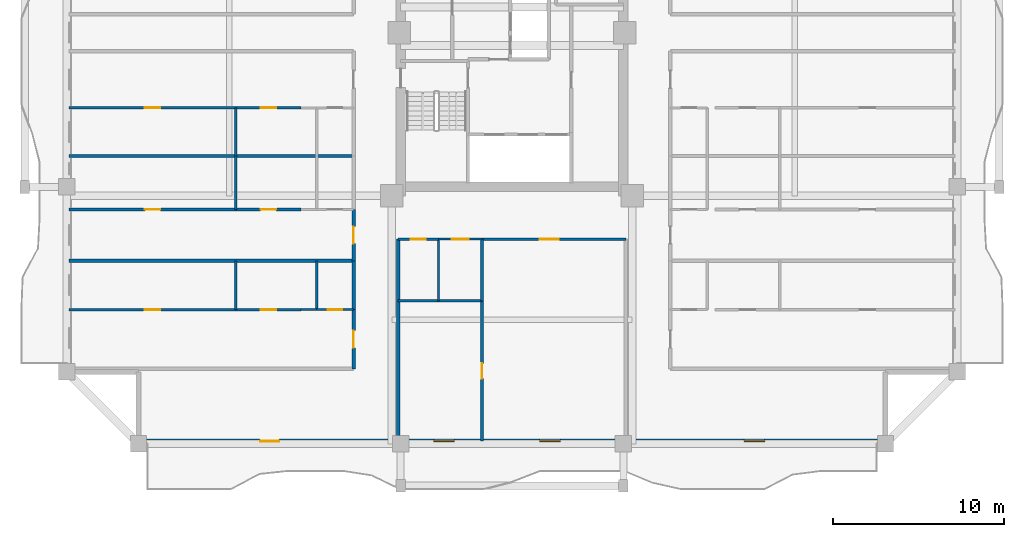
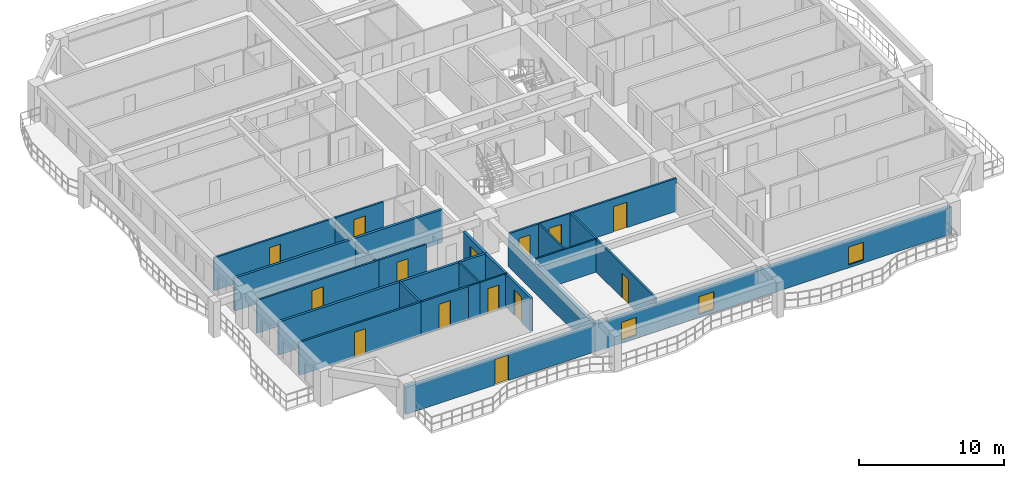
# One storey, part 2 of 13: 26 walls, 14 doors, 3 windows, 17 openings.
"""IFC4 building model written with IfcOpenShell, lengths in metres."""

import ifcopenshell
import ifcopenshell.guid

model = None  # the IFC model being written
_history = None  # IfcOwnerHistory: only IFC2X3 demands one
_inside = {}  # id of a spatial element -> (the spatial element, [elements in it])
_under = {}  # id of a project, library or spatial element -> (it, [spatial elements below it])
_declared = {}  # id of a project -> (the project, [libraries it declares])
_typed = {}  # id of a type object -> (the type object, [elements of that type])
_made_of = {}  # id of a material, layer set ... -> (it, [elements and type objects made of it])


def new_model(schema):
    """Start an empty IFC model of exactly this schema.

    Asked for "IFC4X3", IfcOpenShell would pick the latest addendum, in which some entities
    have other attributes; the version numbers below select the first issue.
    IFC2X3 requires an IfcOwnerHistory on every rooted entity: one is made here for all.
    """
    global model, _history
    if schema == "IFC4X3":
        model = ifcopenshell.file(schema_version=(4, 3, 0, 0))
    else:
        model = ifcopenshell.file(schema=schema)
    _inside.clear()
    _under.clear()
    _declared.clear()
    _typed.clear()
    _made_of.clear()
    _history = None
    if model.schema == "IFC2X3":
        org = make("IfcOrganization", Name="unknown")
        user = make(
            "IfcPersonAndOrganization",
            ThePerson=make("IfcPerson", FamilyName="unknown"),
            TheOrganization=org,
        )
        app = make(
            "IfcApplication",
            ApplicationDeveloper=org,
            Version="unknown",
            ApplicationFullName="unknown",
            ApplicationIdentifier="unknown",
        )
        _history = make(
            "IfcOwnerHistory",
            OwningUser=user,
            OwningApplication=app,
            ChangeAction="ADDED",
            CreationDate=0,
        )
    return model


def make(cls, **values):
    """One entity of the class cls with the attributes given. An attribute that is None is left unset."""
    return model.create_entity(
        cls, **{name: value for name, value in values.items() if value is not None}
    )


def rooted(cls, **values):
    """An entity with a GlobalId (a new one), such as an element, a storey or a relation."""
    return make(cls, GlobalId=ifcopenshell.guid.new(), OwnerHistory=_history, **values)


def si_unit(unit_type, name, prefix=None):
    """IfcSIUnit, for example si_unit("LENGTHUNIT", "METRE", prefix="MILLI")."""
    return make("IfcSIUnit", UnitType=unit_type, Prefix=prefix, Name=name)


def assignment(units):
    """IfcUnitAssignment: the units of a project."""
    return None if units is None else make("IfcUnitAssignment", Units=units)


def point(xyz):
    """IfcCartesianPoint."""
    return None if xyz is None else make("IfcCartesianPoint", Coordinates=xyz)


def direction(xyz):
    """IfcDirection."""
    return None if xyz is None else make("IfcDirection", DirectionRatios=xyz)


def frame(location, z_axis=None, x_axis=None):
    """IfcAxis2Placement3D, a coordinate frame: its origin and axes. An axis left out is left unset."""
    return make(
        "IfcAxis2Placement3D",
        Location=point(location),
        Axis=direction(z_axis),
        RefDirection=direction(x_axis),
    )


def frame_2d(location, x_axis=None):
    """IfcAxis2Placement2D, a coordinate frame in the plane: its origin and x axis."""
    return make(
        "IfcAxis2Placement2D", Location=point(location), RefDirection=direction(x_axis)
    )


def origin():
    """The frame at (0, 0, 0) with its axes left unset."""
    return frame((0.0, 0.0, 0.0))


def place(relative_to, where):
    """IfcLocalPlacement: puts the frame where relative to a parent placement (None: the world)."""
    return make(
        "IfcLocalPlacement", PlacementRelTo=relative_to, RelativePlacement=where
    )


def context(
    kind, dimensions, precision=None, world=None, true_north=None, identifier=None
):
    """IfcGeometricRepresentationContext, for example the 3D "Model" context."""
    return make(
        "IfcGeometricRepresentationContext",
        ContextIdentifier=identifier,
        ContextType=kind,
        CoordinateSpaceDimension=dimensions,
        Precision=precision,
        WorldCoordinateSystem=world,
        TrueNorth=true_north,
    )


def subcontext(parent, identifier, kind, view, scale=None):
    """IfcGeometricRepresentationSubContext, for example "Body" below "Model"."""
    return make(
        "IfcGeometricRepresentationSubContext",
        ContextIdentifier=identifier,
        ContextType=kind,
        ParentContext=parent,
        TargetScale=scale,
        TargetView=view,
    )


def project(units=None, contexts=None):
    """IfcProject with its units and contexts."""
    return rooted(
        "IfcProject",
        Name="project",
        RepresentationContexts=contexts,
        UnitsInContext=assignment(units),
    )


def spatial(cls, under=None, at=None, **own):
    """A site, building, storey or space (cls), placed at a placement, below another one or the project."""
    s = rooted(cls, ObjectPlacement=at, **own)
    if under is not None:
        _under.setdefault(under.id(), (under, []))[1].append(s)
    return s


def profile(cls, at=None, kind="AREA", **sizes):
    """A parametric profile (cls). Its sizes go by their IFC names, for example OverallWidth=200.0."""
    return make(cls, ProfileType=kind, Position=at, **sizes)


def rectangle(**sizes):
    """IfcRectangleProfileDef."""
    return profile("IfcRectangleProfileDef", **sizes)


def extrude(swept, where, along, depth):
    """IfcExtrudedAreaSolid: the profile swept, set in the frame where, extruded along a direction by depth."""
    return make(
        "IfcExtrudedAreaSolid",
        SweptArea=swept,
        Position=where,
        ExtrudedDirection=direction(along),
        Depth=depth,
    )


def shape(context_of_items, identifier, shape_type, items):
    """IfcShapeRepresentation: the items that make up one representation, for example the "Body"."""
    return make(
        "IfcShapeRepresentation",
        ContextOfItems=context_of_items,
        RepresentationIdentifier=identifier,
        RepresentationType=shape_type,
        Items=items,
    )


def source(mapping_origin, context_of_items, identifier, shape_type, items):
    """IfcRepresentationMap: a shape defined once, which mapped items show again and again."""
    return make(
        "IfcRepresentationMap",
        MappingOrigin=mapping_origin,
        MappedRepresentation=shape(context_of_items, identifier, shape_type, items),
    )


def transform(
    local_origin,
    x_axis=None,
    y_axis=None,
    z_axis=None,
    scale=None,
    scale2=None,
    scale3=None,
    uniform=True,
):
    """IfcCartesianTransformationOperator3D, or its non-uniform kind. x_axis, y_axis, z_axis: its Axis1, 2, 3."""
    if uniform:
        return make(
            "IfcCartesianTransformationOperator3D",
            Axis1=direction(x_axis),
            Axis2=direction(y_axis),
            LocalOrigin=point(local_origin),
            Scale=scale,
            Axis3=direction(z_axis),
        )
    return make(
        "IfcCartesianTransformationOperator3DnonUniform",
        Axis1=direction(x_axis),
        Axis2=direction(y_axis),
        LocalOrigin=point(local_origin),
        Scale=scale,
        Axis3=direction(z_axis),
        Scale2=scale2,
        Scale3=scale3,
    )


def mapped(mapping_source, mapping_target):
    """IfcMappedItem: shows the shape of a source again, moved by a transform."""
    return make(
        "IfcMappedItem", MappingSource=mapping_source, MappingTarget=mapping_target
    )


def material(Name=None, Category=None):
    """IfcMaterial."""
    return make("IfcMaterial", Name=Name, Category=Category)


def layer(
    of_material, thickness, ventilated=None, Name=None, Category=None, Priority=None
):
    """IfcMaterialLayer: one layer of a wall or slab, of a material (None: an air gap)."""
    return make(
        "IfcMaterialLayer",
        Material=of_material,
        LayerThickness=thickness,
        IsVentilated=ventilated,
        Name=Name,
        Category=Category,
        Priority=Priority,
    )


def layer_set(layers, Name=None):
    """IfcMaterialLayerSet."""
    return make("IfcMaterialLayerSet", MaterialLayers=layers, LayerSetName=Name)


def made_of(thing, what):
    """Note that an element or type object is made of a material, layer set ...; save() writes the relation."""
    if what is not None:
        _made_of.setdefault(what.id(), (what, []))[1].append(thing)
    return thing


def type_object(cls, material=None, **own):
    """A type object (cls), such as IfcWallType, which elements share."""
    return made_of(rooted(cls, **own), material)


def element(
    cls,
    number,
    at=None,
    inside=None,
    cuts=None,
    type_object=None,
    material=None,
    context=None,
    identifier="Body",
    shape_type=None,
    held_by="IfcProductDefinitionShape",
    body=None,
    shapes=None,
    **own,
):
    """One element of the class cls, such as IfcWall. Its Tag is "e" and its number.

    at: its placement. inside: the storey or other place that contains it. cuts: it is an
    opening in that element (IfcRelVoidsElement). A single representation is given by context,
    identifier, shape_type and body (its items); several are given by shapes. held_by: the class
    of the entity that holds the representations. save() writes the other relations.
    """
    e = rooted(cls, Tag="e%d" % number, ObjectPlacement=at, **own)
    if body is not None:
        shapes = [shape(context, identifier, shape_type, body)]
    if shapes is not None:
        e.Representation = make(held_by, Representations=shapes)
    if inside is not None:
        _inside.setdefault(inside.id(), (inside, []))[1].append(e)
    if cuts is not None:
        rooted(
            "IfcRelVoidsElement", RelatingBuildingElement=cuts, RelatedOpeningElement=e
        )
    if type_object is not None:
        _typed.setdefault(type_object.id(), (type_object, []))[1].append(e)
    return made_of(e, material)


def fill(opening, filler):
    """IfcRelFillsElement: the door or window that sits in an opening."""
    return rooted(
        "IfcRelFillsElement",
        RelatingOpeningElement=opening,
        RelatedBuildingElement=filler,
    )


def aggregate(whole, parts):
    """IfcRelAggregates: a whole, such as a stair, and the parts it consists of."""
    return rooted("IfcRelAggregates", RelatingObject=whole, RelatedObjects=parts)


def save(model, path):
    """Write the relations noted so far, then the file.

    IfcRelAggregates (storeys below a building ...), IfcRelContainedInSpatialStructure (elements
    in a storey), IfcRelDefinesByType, IfcRelAssociatesMaterial and IfcRelDeclares: one each for
    every whole, place, type object, material and project.
    """
    for whole, parts in _under.values():
        aggregate(whole, parts)
    for where, things in _inside.values():
        rooted(
            "IfcRelContainedInSpatialStructure",
            RelatedElements=things,
            RelatingStructure=where,
        )
    for kind, things in _typed.values():
        rooted("IfcRelDefinesByType", RelatedObjects=things, RelatingType=kind)
    for what, things in _made_of.values():
        rooted("IfcRelAssociatesMaterial", RelatedObjects=things, RelatingMaterial=what)
    for by, libraries in _declared.values():
        rooted("IfcRelDeclares", RelatingContext=by, RelatedDefinitions=libraries)
    model.write(path)


model = new_model("IFC4")

# Units and contexts
model_context = context("Model", 3, precision=1e-05, world=origin(), true_north=direction((0.0, 1.0)))
body_context = subcontext(model_context, "Body", "Model", "MODEL_VIEW")
ifc_project = project(units=[si_unit("LENGTHUNIT", "METRE"), si_unit("AREAUNIT", "SQUARE_METRE"), si_unit("VOLUMEUNIT", "CUBIC_METRE"), si_unit("PLANEANGLEUNIT", "RADIAN"), si_unit("MASSUNIT", "GRAM", prefix="KILO")], contexts=[model_context])

# Site, building, storey
site_placement = place(None, origin())
site = spatial("IfcSite", under=ifc_project, at=site_placement, CompositionType="ELEMENT")
building_placement = place(site_placement, origin())
building = spatial("IfcBuilding", under=site, at=building_placement, Name="Saelheon Loggia Tower", CompositionType="ELEMENT")
storey_placement = place(building_placement, frame((0.0, 0.0, 92.85009765625)))
storey = spatial("IfcBuildingStorey", under=building, at=storey_placement, Name="L29", CompositionType="ELEMENT", Elevation=92.85009765625)

# Wall, openings, windows, door
ifc_material_1 = material(Name="Architectural Precast Concrete C40/50", Category="concrete")
ifc_layer_1 = layer(ifc_material_1, 0.280029296875)
ifc_layer_set_1 = layer_set([ifc_layer_1], Name="Architectural Precast Concrete C40/50")
wall_type_1 = type_object("IfcWallType", Name="Wall_Ext_Loggia_280", PredefinedType="SOLIDWALL", material=ifc_layer_set_1)
wall_1_placement = place(storey_placement, frame((16.199951171875, 3.139892578125, 0.0), z_axis=(0.0, 0.0, 1.0), x_axis=(1.0, 0.0, 0.0)))
wall_1 = element("IfcWall", 1, at=wall_1_placement, inside=storey, type_object=wall_type_1, Name="L29 South Loggia Inner Wall", PredefinedType="SOLIDWALL", context=body_context, shape_type="SweptSolid", body=[
    extrude(rectangle(XDim=43.60009765625, YDim=0.280029296875, at=frame_2d((21.800048828125, 0.0))), origin(), (0.0, 0.0, 1.0), 2.27978515625),
])
opening_1_placement = place(wall_1_placement, frame((8.2001953125, 0.0, 0.0), z_axis=(0.0, 0.0, 1.0), x_axis=(-1.0, 0.0, 0.0)))
opening_1 = element("IfcOpeningElement", 2, at=opening_1_placement, cuts=wall_1, Name="Opening TD1", PredefinedType="OPENING", context=body_context, shape_type="SweptSolid", body=[
    extrude(rectangle(XDim=1.10009765625, YDim=2.14990234375, at=frame_2d((0.550048828125, 1.074951171875))), frame((0.0, 0.152099609375, 0.0), z_axis=(0.0, -1.0, 0.0), x_axis=(1.0, 0.0, 0.0)), (0.0, 0.0, 1.0), 0.303955078125),
])
opening_2_placement = place(wall_1_placement, frame((17.232421875, 0.0, 0.25)))
opening_2 = element("IfcOpeningElement", 3, at=opening_2_placement, cuts=wall_1, Name="Opening WN-03", PredefinedType="OPENING", context=body_context, shape_type="SweptSolid", body=[
    extrude(rectangle(XDim=1.199951171875, YDim=1.5, at=frame_2d((0.60009765625, 0.75))), frame((0.0, 0.152099609375, 0.0), z_axis=(0.0, -1.0, 0.0), x_axis=(1.0, 0.0, 0.0)), (0.0, 0.0, 1.0), 0.303955078125),
])
opening_3_placement = place(wall_1_placement, frame((23.41748046875, 0.0, 0.25)))
opening_3 = element("IfcOpeningElement", 4, at=opening_3_placement, cuts=wall_1, Name="Opening WN-03", PredefinedType="OPENING", context=body_context, shape_type="SweptSolid", body=[
    extrude(rectangle(XDim=1.199951171875, YDim=1.5, at=frame_2d((0.60009765625, 0.75))), frame((0.0, 0.152099609375, 0.0), z_axis=(0.0, -1.0, 0.0), x_axis=(1.0, 0.0, 0.0)), (0.0, 0.0, 1.0), 0.303955078125),
])
opening_4_placement = place(wall_1_placement, frame((35.35009765625, 0.0, 0.25)))
opening_4 = element("IfcOpeningElement", 5, at=opening_4_placement, cuts=wall_1, Name="Opening WN-03", PredefinedType="OPENING", context=body_context, shape_type="SweptSolid", body=[
    extrude(rectangle(XDim=1.199951171875, YDim=1.5, at=frame_2d((0.60009765625, 0.75))), frame((0.0, 0.152099609375, 0.0), z_axis=(0.0, -1.0, 0.0), x_axis=(1.0, 0.0, 0.0)), (0.0, 0.0, 1.0), 0.303955078125),
])
ifc_material_2 = material(Name="Thermal-Break Aluminium and Triple Low-E Glass", Category="aluminium")
window_type = type_object("IfcWindowType", Name="Win_Bedroom_1200x1500", PartitioningType="SINGLE_PANEL", PredefinedType="WINDOW", material=ifc_material_2)
shared_shape_1 = source(origin(), body_context, "Body", "SweptSolid", [
    extrude(rectangle(XDim=1.199951171875, YDim=1.5, at=frame_2d((0.60009765625, 0.75))), frame((0.0, 0.030029296875, 0.0), z_axis=(0.0, -1.0, 0.0), x_axis=(1.0, 0.0, 0.0)), (0.0, 0.0, 1.0), 0.06005859375),
])
window_1_placement = place(opening_2_placement, origin())
window_1 = element("IfcWindow", 6, at=window_1_placement, inside=storey, type_object=window_type, Name="L29 S Dwelling Window 2", OverallHeight=1.5, OverallWidth=1.199951171875, PartitioningType="SINGLE_PANEL", PredefinedType="WINDOW", context=body_context, shape_type="MappedRepresentation", body=[
    mapped(shared_shape_1, transform((0.0, 0.0, 0.0), scale=1.0)),
])
fill(opening_2, window_1)
window_2_placement = place(opening_3_placement, origin())
window_2 = element("IfcWindow", 7, at=window_2_placement, inside=storey, type_object=window_type, Name="L29 S Dwelling Window 3", OverallHeight=1.5, OverallWidth=1.199951171875, PartitioningType="SINGLE_PANEL", PredefinedType="WINDOW", context=body_context, shape_type="MappedRepresentation", body=[
    mapped(shared_shape_1, transform((0.0, 0.0, 0.0), scale=1.0)),
])
fill(opening_3, window_2)
window_3_placement = place(opening_4_placement, origin())
window_3 = element("IfcWindow", 8, at=window_3_placement, inside=storey, type_object=window_type, Name="L29 S Dwelling Window 4", OverallHeight=1.5, OverallWidth=1.199951171875, PartitioningType="SINGLE_PANEL", PredefinedType="WINDOW", context=body_context, shape_type="MappedRepresentation", body=[
    mapped(shared_shape_1, transform((0.0, 0.0, 0.0), scale=1.0)),
])
fill(opening_4, window_3)
ifc_material_3 = material(Name="Thermal-Break Aluminium Glazed Door", Category="aluminium")
door_type_1 = type_object("IfcDoorType", Name="Door_Terrace_TD1", OperationType="NOTDEFINED", PredefinedType="DOOR", material=ifc_material_3)
shared_shape_2 = source(origin(), body_context, "Body", "SweptSolid", [
    extrude(rectangle(XDim=1.10009765625, YDim=2.14990234375, at=frame_2d((0.550048828125, 1.074951171875))), frame((0.0, 0.02490234375, 0.0), z_axis=(0.0, -1.0, 0.0), x_axis=(1.0, 0.0, 0.0)), (0.0, 0.0, 1.0), 0.050048828125),
])
door_1_placement = place(opening_1_placement, origin())
door_1 = element("IfcDoor", 9, at=door_1_placement, inside=storey, type_object=door_type_1, Name="L29 S Loggia Access Door", OperationType="SINGLE_SWING_LEFT", OverallHeight=2.14990234375, OverallWidth=1.10009765625, PredefinedType="DOOR", context=body_context, shape_type="MappedRepresentation", body=[
    mapped(shared_shape_2, transform((0.0, 0.0, 0.0), scale=1.0)),
])
fill(opening_1, door_1)

# Wall
ifc_material_4 = material(Name="Lightweight Autoclaved Aerated Concrete Block and Acoustic Gypsum", Category="concrete")
ifc_layer_2 = layer(ifc_material_4, 0.14990234375)
ifc_layer_set_2 = layer_set([ifc_layer_2], Name="Lightweight Autoclaved Aerated Concrete Block and Acoustic Gypsum")
wall_type_2 = type_object("IfcWallType", Name="Wall_Part_150", PredefinedType="PARTITIONING", material=ifc_layer_set_2)
wall_2_placement = place(storey_placement, frame((36.25, 14.949951171875, 0.0), z_axis=(0.0, 0.0, 1.0), x_axis=(0.0, -1.0, 0.0)))
element("IfcWall", 10, at=wall_2_placement, inside=storey, type_object=wall_type_2, Name="L29 S Partition U04", PredefinedType="PARTITIONING", context=body_context, shape_type="SweptSolid", body=[
    extrude(rectangle(XDim=3.599853515625, YDim=0.14990234375, at=frame_2d((1.7998046875, 0.0))), origin(), (0.0, 0.0, 1.0), 2.789794921875),
])

# Wall, opening, door
wall_3_placement = place(storey_placement, frame((36.25, 11.35009765625, 0.0), z_axis=(0.0, 0.0, 1.0), x_axis=(0.0, -1.0, 0.0)))
wall_3 = element("IfcWall", 11, at=wall_3_placement, inside=storey, type_object=wall_type_2, Name="L29 S Partition U05", PredefinedType="PARTITIONING", context=body_context, shape_type="SweptSolid", body=[
    extrude(rectangle(XDim=8.2001953125, YDim=0.14990234375, at=frame_2d((4.10009765625, 0.0))), origin(), (0.0, 0.0, 1.0), 2.789794921875),
])
opening_5_placement = place(wall_3_placement, frame((3.64990234375, 0.0, 0.0)))
opening_5 = element("IfcOpeningElement", 12, at=opening_5_placement, cuts=wall_3, Name="Opening D-IN2", PredefinedType="OPENING", context=body_context, shape_type="SweptSolid", body=[
    extrude(rectangle(XDim=0.89990234375, YDim=2.10009765625, at=frame_2d((0.449951171875, 1.050048828125))), frame((0.0, 0.0869140625, 0.0), z_axis=(0.0, -1.0, 0.0), x_axis=(1.0, 0.0, 0.0)), (0.0, 0.0, 1.0), 0.173828125),
])
ifc_material_5 = material(Name="Engineered Oak Flush Door", Category="timber")
door_type_2 = type_object("IfcDoorType", Name="Door_Int_900", OperationType="NOTDEFINED", PredefinedType="DOOR", material=ifc_material_5)
shared_shape_3 = source(origin(), body_context, "Body", "SweptSolid", [
    extrude(rectangle(XDim=0.89990234375, YDim=2.10009765625, at=frame_2d((0.449951171875, 1.050048828125))), frame((0.0, 0.02490234375, 0.0), z_axis=(0.0, -1.0, 0.0), x_axis=(1.0, 0.0, 0.0)), (0.0, 0.0, 1.0), 0.050048828125),
])
door_2_placement = place(opening_5_placement, origin())
door_2 = element("IfcDoor", 13, at=door_2_placement, inside=storey, type_object=door_type_2, Name="L29 Reading Alcove Door", OperationType="SINGLE_SWING_LEFT", OverallHeight=2.10009765625, OverallWidth=0.89990234375, PredefinedType="DOOR", context=body_context, shape_type="MappedRepresentation", body=[
    mapped(shared_shape_3, transform((0.0, 0.0, 0.0), scale=1.0)),
])
fill(opening_5, door_2)

wall_4_placement = place(storey_placement, frame((31.35009765625, 14.949951171875, 0.0), z_axis=(0.0, 0.0, 1.0), x_axis=(1.0, 0.0, 0.0)))
wall_4 = element("IfcWall", 14, at=wall_4_placement, inside=storey, type_object=wall_type_2, Name="L29 S Partition V07", PredefinedType="PARTITIONING", context=body_context, shape_type="SweptSolid", body=[
    extrude(rectangle(XDim=2.349853515625, YDim=0.14990234375, at=frame_2d((1.1748046875, 0.0))), origin(), (0.0, 0.0, 1.0), 2.789794921875),
])
opening_6_placement = place(wall_4_placement, frame((0.72509765625, 0.0, 0.0)))
opening_6 = element("IfcOpeningElement", 15, at=opening_6_placement, cuts=wall_4, Name="Opening D-IN2", PredefinedType="OPENING", context=body_context, shape_type="SweptSolid", body=[
    extrude(rectangle(XDim=0.89990234375, YDim=2.10009765625, at=frame_2d((0.449951171875, 1.050048828125))), frame((0.0, 0.0869140625, 0.0), z_axis=(0.0, -1.0, 0.0), x_axis=(1.0, 0.0, 0.0)), (0.0, 0.0, 1.0), 0.173828125),
])
door_3_placement = place(opening_6_placement, origin())
door_3 = element("IfcDoor", 16, at=door_3_placement, inside=storey, type_object=door_type_2, Name="L29 Community Pantry Door", OperationType="SINGLE_SWING_RIGHT", OverallHeight=2.10009765625, OverallWidth=0.89990234375, PredefinedType="DOOR", context=body_context, shape_type="MappedRepresentation", body=[
    mapped(shared_shape_3, transform((0.0, 0.0, 0.0), scale=1.0)),
])
fill(opening_6, door_3)

wall_5_placement = place(storey_placement, frame((36.25, 14.949951171875, 0.0), z_axis=(0.0, 0.0, 1.0), x_axis=(1.0, 0.0, 0.0)))
wall_5 = element("IfcWall", 17, at=wall_5_placement, inside=storey, type_object=wall_type_2, Name="L29 S Partition V09", PredefinedType="PARTITIONING", context=body_context, shape_type="SweptSolid", body=[
    extrude(rectangle(XDim=8.39990234375, YDim=0.14990234375, at=frame_2d((4.199951171875, 0.0))), origin(), (0.0, 0.0, 1.0), 2.789794921875),
])
opening_7_placement = place(wall_5_placement, frame((3.367431640625, 0.0, 0.0)))
opening_7 = element("IfcOpeningElement", 18, at=opening_7_placement, cuts=wall_5, Name="Opening D-FD2", PredefinedType="OPENING", context=body_context, shape_type="SweptSolid", body=[
    extrude(rectangle(XDim=1.10009765625, YDim=2.14990234375, at=frame_2d((0.550048828125, 1.074951171875))), frame((0.0, 0.0869140625, 0.0), z_axis=(0.0, -1.0, 0.0), x_axis=(1.0, 0.0, 0.0)), (0.0, 0.0, 1.0), 0.173828125),
])
ifc_material_6 = material(Name="Galvanised Steel Fire Door", Category="steel")
door_type_3 = type_object("IfcDoorType", Name="Door_Fire_FD60_1100", OperationType="NOTDEFINED", PredefinedType="DOOR", material=ifc_material_6)
door_4_placement = place(opening_7_placement, origin())
door_4 = element("IfcDoor", 19, at=door_4_placement, inside=storey, type_object=door_type_3, Name="L29 Sky Community Club Hall Door A", OperationType="SINGLE_SWING_RIGHT", OverallHeight=2.14990234375, OverallWidth=1.10009765625, PredefinedType="DOOR", context=body_context, shape_type="MappedRepresentation", body=[
    mapped(shared_shape_2, transform((0.0, 0.0, 0.0), scale=1.0)),
])
fill(opening_7, door_4)

# Wall
wall_6_placement = place(storey_placement, frame((21.8798828125, 10.83349609375, 0.0), z_axis=(0.0, 0.0, 1.0), x_axis=(0.0, 1.0, 0.0)))
element("IfcWall", 20, at=wall_6_placement, inside=storey, type_object=wall_type_2, Name="L29 WS Partition V08", PredefinedType="PARTITIONING", context=body_context, shape_type="SweptSolid", body=[
    extrude(rectangle(XDim=2.85009765625, YDim=0.14990234375, at=frame_2d((1.425048828125, 0.0))), origin(), (0.0, 0.0, 1.0), 2.789794921875),
])

# Wall, opening, door
wall_7_placement = place(storey_placement, frame((25.679931640625, 10.83349609375, 0.0), z_axis=(0.0, 0.0, 1.0), x_axis=(-1.0, 0.0, 0.0)))
wall_7 = element("IfcWall", 21, at=wall_7_placement, inside=storey, type_object=wall_type_2, Name="L29 WS Partition U09", PredefinedType="PARTITIONING", context=body_context, shape_type="SweptSolid", body=[
    extrude(rectangle(XDim=3.800048828125, YDim=0.14990234375, at=frame_2d((1.89990234375, 0.0))), origin(), (0.0, 0.0, 1.0), 2.789794921875),
])
opening_8_placement = place(wall_7_placement, frame((1.449951171875, 0.0, 0.0)))
opening_8 = element("IfcOpeningElement", 22, at=opening_8_placement, cuts=wall_7, Name="Opening D-IN2", PredefinedType="OPENING", context=body_context, shape_type="SweptSolid", body=[
    extrude(rectangle(XDim=0.89990234375, YDim=2.10009765625, at=frame_2d((0.449951171875, 1.050048828125))), frame((0.0, 0.0869140625, 0.0), z_axis=(0.0, -1.0, 0.0), x_axis=(1.0, 0.0, 0.0)), (0.0, 0.0, 1.0), 0.173828125),
])
door_5_placement = place(opening_8_placement, origin())
door_5 = element("IfcDoor", 23, at=door_5_placement, inside=storey, type_object=door_type_2, Name="Unit U01 Kitchen Door", OperationType="SINGLE_SWING_RIGHT", OverallHeight=2.10009765625, OverallWidth=0.89990234375, PredefinedType="DOOR", context=body_context, shape_type="MappedRepresentation", body=[
    mapped(shared_shape_3, transform((0.0, 0.0, 0.0), scale=1.0)),
])
fill(opening_8, door_5)

wall_8_placement = place(storey_placement, frame((21.8798828125, 10.83349609375, 0.0), z_axis=(0.0, 0.0, 1.0), x_axis=(-1.0, 0.0, 0.0)))
wall_8 = element("IfcWall", 24, at=wall_8_placement, inside=storey, type_object=wall_type_2, Name="L29 WS Partition U10", PredefinedType="PARTITIONING", context=body_context, shape_type="SweptSolid", body=[
    extrude(rectangle(XDim=9.72998046875, YDim=0.14990234375, at=frame_2d((4.864990234375, 0.0))), origin(), (0.0, 0.0, 1.0), 2.789794921875),
])
opening_9_placement = place(wall_8_placement, frame((4.4150390625, 0.0, 0.0)))
opening_9 = element("IfcOpeningElement", 25, at=opening_9_placement, cuts=wall_8, Name="Opening D-IN2", PredefinedType="OPENING", context=body_context, shape_type="SweptSolid", body=[
    extrude(rectangle(XDim=0.89990234375, YDim=2.10009765625, at=frame_2d((0.449951171875, 1.050048828125))), frame((0.0, 0.0869140625, 0.0), z_axis=(0.0, -1.0, 0.0), x_axis=(1.0, 0.0, 0.0)), (0.0, 0.0, 1.0), 0.173828125),
])
door_6_placement = place(opening_9_placement, origin())
door_6 = element("IfcDoor", 26, at=door_6_placement, inside=storey, type_object=door_type_2, Name="Unit U01 Bedroom 1 Door", OperationType="SINGLE_SWING_LEFT", OverallHeight=2.10009765625, OverallWidth=0.89990234375, PredefinedType="DOOR", context=body_context, shape_type="MappedRepresentation", body=[
    mapped(shared_shape_3, transform((0.0, 0.0, 0.0), scale=1.0)),
])
fill(opening_9, door_6)

# Wall
wall_9_placement = place(storey_placement, frame((21.8798828125, 16.679931640625, 0.0), z_axis=(0.0, 0.0, 1.0), x_axis=(0.0, 1.0, 0.0)))
element("IfcWall", 27, at=wall_9_placement, inside=storey, type_object=wall_type_2, Name="L29 WS Partition V17", PredefinedType="PARTITIONING", context=body_context, shape_type="SweptSolid", body=[
    extrude(rectangle(XDim=3.121826171875, YDim=0.14990234375, at=frame_2d((1.56103515625, 0.0))), origin(), (0.0, 0.0, 1.0), 2.489990234375),
])

# Wall, opening, door
wall_10_placement = place(storey_placement, frame((25.679931640625, 16.679931640625, 0.0), z_axis=(0.0, 0.0, 1.0), x_axis=(-1.0, 0.0, 0.0)))
wall_10 = element("IfcWall", 28, at=wall_10_placement, inside=storey, type_object=wall_type_2, Name="L29 WS Partition U18", PredefinedType="PARTITIONING", context=body_context, shape_type="SweptSolid", body=[
    extrude(rectangle(XDim=3.800048828125, YDim=0.14990234375, at=frame_2d((1.89990234375, 0.0))), origin(), (0.0, 0.0, 1.0), 2.789794921875),
])
opening_10_placement = place(wall_10_placement, frame((1.449951171875, 0.0, 0.0)))
opening_10 = element("IfcOpeningElement", 29, at=opening_10_placement, cuts=wall_10, Name="Opening D-IN2", PredefinedType="OPENING", context=body_context, shape_type="SweptSolid", body=[
    extrude(rectangle(XDim=0.89990234375, YDim=2.10009765625, at=frame_2d((0.449951171875, 1.050048828125))), frame((0.0, 0.0869140625, 0.0), z_axis=(0.0, -1.0, 0.0), x_axis=(1.0, 0.0, 0.0)), (0.0, 0.0, 1.0), 0.173828125),
])
door_7_placement = place(opening_10_placement, origin())
door_7 = element("IfcDoor", 30, at=door_7_placement, inside=storey, type_object=door_type_2, Name="Unit U02 Kitchen Door", OperationType="SINGLE_SWING_RIGHT", OverallHeight=2.10009765625, OverallWidth=0.89990234375, PredefinedType="DOOR", context=body_context, shape_type="MappedRepresentation", body=[
    mapped(shared_shape_3, transform((0.0, 0.0, 0.0), scale=1.0)),
])
fill(opening_10, door_7)

wall_11_placement = place(storey_placement, frame((21.8798828125, 16.679931640625, 0.0), z_axis=(0.0, 0.0, 1.0), x_axis=(-1.0, 0.0, 0.0)))
wall_11 = element("IfcWall", 31, at=wall_11_placement, inside=storey, type_object=wall_type_2, Name="L29 WS Partition U19", PredefinedType="PARTITIONING", context=body_context, shape_type="SweptSolid", body=[
    extrude(rectangle(XDim=9.72998046875, YDim=0.14990234375, at=frame_2d((4.864990234375, 0.0))), origin(), (0.0, 0.0, 1.0), 2.789794921875),
])
opening_11_placement = place(wall_11_placement, frame((4.4150390625, 0.0, 0.0)))
opening_11 = element("IfcOpeningElement", 32, at=opening_11_placement, cuts=wall_11, Name="Opening D-IN2", PredefinedType="OPENING", context=body_context, shape_type="SweptSolid", body=[
    extrude(rectangle(XDim=0.89990234375, YDim=2.10009765625, at=frame_2d((0.449951171875, 1.050048828125))), frame((0.0, 0.0869140625, 0.0), z_axis=(0.0, -1.0, 0.0), x_axis=(1.0, 0.0, 0.0)), (0.0, 0.0, 1.0), 0.173828125),
])
door_8_placement = place(opening_11_placement, origin())
door_8 = element("IfcDoor", 33, at=door_8_placement, inside=storey, type_object=door_type_2, Name="Unit U02 Bedroom 1 Door", OperationType="SINGLE_SWING_LEFT", OverallHeight=2.10009765625, OverallWidth=0.89990234375, PredefinedType="DOOR", context=body_context, shape_type="MappedRepresentation", body=[
    mapped(shared_shape_3, transform((0.0, 0.0, 0.0), scale=1.0)),
])
fill(opening_11, door_8)

# Wall
wall_12_placement = place(storey_placement, frame((21.8798828125, 19.8017578125, 0.0), z_axis=(0.0, 0.0, 1.0), x_axis=(0.0, 1.0, 0.0)))
element("IfcWall", 34, at=wall_12_placement, inside=storey, type_object=wall_type_2, Name="L29 WS Partition V26", PredefinedType="PARTITIONING", context=body_context, shape_type="SweptSolid", body=[
    extrude(rectangle(XDim=2.814453125, YDim=0.14990234375, at=frame_2d((1.4072265625, 0.0))), origin(), (0.0, 0.0, 1.0), 2.489990234375),
])

# Wall, opening, door
wall_13_placement = place(storey_placement, frame((25.679931640625, 22.6162109375, 0.0), z_axis=(0.0, 0.0, 1.0), x_axis=(-1.0, 0.0, 0.0)))
wall_13 = element("IfcWall", 35, at=wall_13_placement, inside=storey, type_object=wall_type_2, Name="L29 WS Partition U27", PredefinedType="PARTITIONING", context=body_context, shape_type="SweptSolid", body=[
    extrude(rectangle(XDim=3.800048828125, YDim=0.14990234375, at=frame_2d((1.89990234375, 0.0))), origin(), (0.0, 0.0, 1.0), 2.789794921875),
])
opening_12_placement = place(wall_13_placement, frame((1.449951171875, 0.0, 0.0)))
opening_12 = element("IfcOpeningElement", 36, at=opening_12_placement, cuts=wall_13, Name="Opening D-IN2", PredefinedType="OPENING", context=body_context, shape_type="SweptSolid", body=[
    extrude(rectangle(XDim=0.89990234375, YDim=2.10009765625, at=frame_2d((0.449951171875, 1.050048828125))), frame((0.0, 0.0869140625, 0.0), z_axis=(0.0, -1.0, 0.0), x_axis=(1.0, 0.0, 0.0)), (0.0, 0.0, 1.0), 0.173828125),
])
door_9_placement = place(opening_12_placement, origin())
door_9 = element("IfcDoor", 37, at=door_9_placement, inside=storey, type_object=door_type_2, Name="Unit U03 Kitchen Door", OperationType="SINGLE_SWING_RIGHT", OverallHeight=2.10009765625, OverallWidth=0.89990234375, PredefinedType="DOOR", context=body_context, shape_type="MappedRepresentation", body=[
    mapped(shared_shape_3, transform((0.0, 0.0, 0.0), scale=1.0)),
])
fill(opening_12, door_9)

wall_14_placement = place(storey_placement, frame((21.8798828125, 22.6162109375, 0.0), z_axis=(0.0, 0.0, 1.0), x_axis=(-1.0, 0.0, 0.0)))
wall_14 = element("IfcWall", 38, at=wall_14_placement, inside=storey, type_object=wall_type_2, Name="L29 WS Partition U28", PredefinedType="PARTITIONING", context=body_context, shape_type="SweptSolid", body=[
    extrude(rectangle(XDim=9.72998046875, YDim=0.14990234375, at=frame_2d((4.864990234375, 0.0))), origin(), (0.0, 0.0, 1.0), 2.789794921875),
])
opening_13_placement = place(wall_14_placement, frame((4.4150390625, 0.0, 0.0)))
opening_13 = element("IfcOpeningElement", 39, at=opening_13_placement, cuts=wall_14, Name="Opening D-IN2", PredefinedType="OPENING", context=body_context, shape_type="SweptSolid", body=[
    extrude(rectangle(XDim=0.89990234375, YDim=2.10009765625, at=frame_2d((0.449951171875, 1.050048828125))), frame((0.0, 0.0869140625, 0.0), z_axis=(0.0, -1.0, 0.0), x_axis=(1.0, 0.0, 0.0)), (0.0, 0.0, 1.0), 0.173828125),
])
door_10_placement = place(opening_13_placement, origin())
door_10 = element("IfcDoor", 40, at=door_10_placement, inside=storey, type_object=door_type_2, Name="Unit U03 Bedroom 1 Door", OperationType="SINGLE_SWING_LEFT", OverallHeight=2.10009765625, OverallWidth=0.89990234375, PredefinedType="DOOR", context=body_context, shape_type="MappedRepresentation", body=[
    mapped(shared_shape_3, transform((0.0, 0.0, 0.0), scale=1.0)),
])
fill(opening_13, door_10)

# Wall
ifc_material_7 = material(Name="Double Acoustic Stud and Fireboard Partition", Category="gypsum")
ifc_layer_3 = layer(ifc_material_7, 0.199951171875)
ifc_layer_set_3 = layer_set([ifc_layer_3], Name="Double Acoustic Stud and Fireboard Partition")
wall_type_3 = type_object("IfcWallType", Name="Wall_Party_200", PredefinedType="PARTITIONING", material=ifc_layer_set_3)
wall_15_placement = place(storey_placement, frame((31.35009765625, 14.949951171875, 0.0), z_axis=(0.0, 0.0, 1.0), x_axis=(0.0, -1.0, 0.0)))
element("IfcWall", 41, at=wall_15_placement, inside=storey, type_object=wall_type_3, Name="L29 S Partition U01", PredefinedType="PARTITIONING", context=body_context, shape_type="SweptSolid", body=[
    extrude(rectangle(XDim=11.800048828125, YDim=0.199951171875, at=frame_2d((5.89990234375, 0.0))), origin(), (0.0, 0.0, 1.0), 2.33984375),
])

# Wall, opening, door
wall_16_placement = place(storey_placement, frame((28.75, 7.3798828125, 0.0), z_axis=(0.0, 0.0, 1.0), x_axis=(0.0, 1.0, 0.0)))
wall_16 = element("IfcWall", 42, at=wall_16_placement, inside=storey, type_object=wall_type_3, Name="L29 WS Partition V03", PredefinedType="PARTITIONING", context=body_context, shape_type="SweptSolid", body=[
    extrude(rectangle(XDim=3.45361328125, YDim=0.199951171875, at=frame_2d((1.726806640625, 0.0))), origin(), (0.0, 0.0, 1.0), 2.789794921875),
])
opening_14_placement = place(wall_16_placement, frame((1.226806640625, 0.0, 0.0)))
opening_14 = element("IfcOpeningElement", 43, at=opening_14_placement, cuts=wall_16, Name="Opening D-FD1", PredefinedType="OPENING", context=body_context, shape_type="SweptSolid", body=[
    extrude(rectangle(XDim=1.0, YDim=2.14990234375, at=frame_2d((0.5, 1.074951171875))), frame((0.0, 0.112060546875, 0.0), z_axis=(0.0, -1.0, 0.0), x_axis=(1.0, 0.0, 0.0)), (0.0, 0.0, 1.0), 0.223876953125),
])
ifc_material_8 = material(Name="Fire-Rated Engineered Timber Entrance Door", Category="wood")
door_type_4 = type_object("IfcDoorType", Name="Door_Flat_FD30S", OperationType="NOTDEFINED", PredefinedType="DOOR", material=ifc_material_8)
shared_shape_4 = source(origin(), body_context, "Body", "SweptSolid", [
    extrude(rectangle(XDim=1.0, YDim=2.14990234375, at=frame_2d((0.5, 1.074951171875))), frame((0.0, 0.02490234375, 0.0), z_axis=(0.0, -1.0, 0.0), x_axis=(1.0, 0.0, 0.0)), (0.0, 0.0, 1.0), 0.050048828125),
])
door_11_placement = place(opening_14_placement, origin())
door_11 = element("IfcDoor", 44, at=door_11_placement, inside=storey, type_object=door_type_4, Name="Unit U01 Entrance Door", OperationType="SINGLE_SWING_RIGHT", OverallHeight=2.14990234375, OverallWidth=1.0, PredefinedType="DOOR", context=body_context, shape_type="MappedRepresentation", body=[
    mapped(shared_shape_4, transform((0.0, 0.0, 0.0), scale=1.0)),
])
fill(opening_14, door_11)

# Walls
wall_17_placement = place(storey_placement, frame((28.75, 10.83349609375, 0.0), z_axis=(0.0, 0.0, 1.0), x_axis=(0.0, 1.0, 0.0)))
element("IfcWall", 45, at=wall_17_placement, inside=storey, type_object=wall_type_3, Name="L29 WS Partition V04", PredefinedType="PARTITIONING", context=body_context, shape_type="SweptSolid", body=[
    extrude(rectangle(XDim=2.85009765625, YDim=0.199951171875, at=frame_2d((1.425048828125, 0.0))), origin(), (0.0, 0.0, 1.0), 2.789794921875),
])
wall_18_placement = place(storey_placement, frame((28.75, 13.68359375, 0.0), z_axis=(0.0, 0.0, 1.0), x_axis=(-1.0, 0.0, 0.0)))
element("IfcWall", 46, at=wall_18_placement, inside=storey, type_object=wall_type_3, Name="L29 WS Partition U11", PredefinedType="PARTITIONING", context=body_context, shape_type="SweptSolid", body=[
    extrude(rectangle(XDim=16.60009765625, YDim=0.199951171875, at=frame_2d((8.300048828125, 0.0))), origin(), (0.0, 0.0, 1.0), 2.789794921875),
])

# Wall, opening, door
wall_19_placement = place(storey_placement, frame((28.75, 13.68359375, 0.0), z_axis=(0.0, 0.0, 1.0), x_axis=(0.0, 1.0, 0.0)))
wall_19 = element("IfcWall", 47, at=wall_19_placement, inside=storey, type_object=wall_type_3, Name="L29 WS Partition V12", PredefinedType="PARTITIONING", context=body_context, shape_type="SweptSolid", body=[
    extrude(rectangle(XDim=2.996337890625, YDim=0.199951171875, at=frame_2d((1.498046875, 0.0))), origin(), (0.0, 0.0, 1.0), 2.789794921875),
])
opening_15_placement = place(wall_19_placement, frame((0.998291015625, 0.0, 0.0)))
opening_15 = element("IfcOpeningElement", 48, at=opening_15_placement, cuts=wall_19, Name="Opening D-FD1", PredefinedType="OPENING", context=body_context, shape_type="SweptSolid", body=[
    extrude(rectangle(XDim=1.0, YDim=2.14990234375, at=frame_2d((0.5, 1.074951171875))), frame((0.0, 0.112060546875, 0.0), z_axis=(0.0, -1.0, 0.0), x_axis=(1.0, 0.0, 0.0)), (0.0, 0.0, 1.0), 0.223876953125),
])
door_12_placement = place(opening_15_placement, origin())
door_12 = element("IfcDoor", 49, at=door_12_placement, inside=storey, type_object=door_type_4, Name="Unit U02 Entrance Door", OperationType="SINGLE_SWING_RIGHT", OverallHeight=2.14990234375, OverallWidth=1.0, PredefinedType="DOOR", context=body_context, shape_type="MappedRepresentation", body=[
    mapped(shared_shape_4, transform((0.0, 0.0, 0.0), scale=1.0)),
])
fill(opening_15, door_12)

# Walls
wall_20_placement = place(storey_placement, frame((28.75, 19.8017578125, 0.0), z_axis=(0.0, 0.0, 1.0), x_axis=(-1.0, 0.0, 0.0)))
element("IfcWall", 50, at=wall_20_placement, inside=storey, type_object=wall_type_3, Name="L29 WS Partition U20", PredefinedType="PARTITIONING", context=body_context, shape_type="SweptSolid", body=[
    extrude(rectangle(XDim=16.60009765625, YDim=0.199951171875, at=frame_2d((8.300048828125, 0.0))), origin(), (0.0, 0.0, 1.0), 2.789794921875),
])
ifc_material_9 = material(Name="Moisture-Resistant Cement Board Partition", Category="gypsum")
ifc_layer_4 = layer(ifc_material_9, 0.1201171875)
ifc_layer_set_4 = layer_set([ifc_layer_4], Name="Moisture-Resistant Cement Board Partition")
wall_type_4 = type_object("IfcWallType", Name="Wall_WetPart_120", PredefinedType="PARTITIONING", material=ifc_layer_set_4)
wall_21_placement = place(storey_placement, frame((33.699951171875, 14.949951171875, 0.0), z_axis=(0.0, 0.0, 1.0), x_axis=(0.0, -1.0, 0.0)))
element("IfcWall", 51, at=wall_21_placement, inside=storey, type_object=wall_type_4, Name="L29 S Partition U03", PredefinedType="PARTITIONING", context=body_context, shape_type="SweptSolid", body=[
    extrude(rectangle(XDim=3.599853515625, YDim=0.1201171875, at=frame_2d((1.7998046875, 0.0))), origin(), (0.0, 0.0, 1.0), 2.789794921875),
])
wall_22_placement = place(storey_placement, frame((31.35009765625, 11.35009765625, 0.0), z_axis=(0.0, 0.0, 1.0), x_axis=(1.0, 0.0, 0.0)))
element("IfcWall", 52, at=wall_22_placement, inside=storey, type_object=wall_type_4, Name="L29 S Partition V06", PredefinedType="PARTITIONING", context=body_context, shape_type="SweptSolid", body=[
    extrude(rectangle(XDim=4.89990234375, YDim=0.1201171875, at=frame_2d((2.449951171875, 0.0))), origin(), (0.0, 0.0, 1.0), 2.789794921875),
])

# Wall, opening, door
wall_23_placement = place(storey_placement, frame((33.699951171875, 14.949951171875, 0.0), z_axis=(0.0, 0.0, 1.0), x_axis=(1.0, 0.0, 0.0)))
wall_23 = element("IfcWall", 53, at=wall_23_placement, inside=storey, type_object=wall_type_4, Name="L29 S Partition V08", PredefinedType="PARTITIONING", context=body_context, shape_type="SweptSolid", body=[
    extrude(rectangle(XDim=2.550048828125, YDim=0.1201171875, at=frame_2d((1.27490234375, 0.0))), origin(), (0.0, 0.0, 1.0), 2.789794921875),
])
opening_16_placement = place(wall_23_placement, frame((0.77490234375, 0.0, 0.0)))
opening_16 = element("IfcOpeningElement", 54, at=opening_16_placement, cuts=wall_23, Name="Opening D-AC1", PredefinedType="OPENING", context=body_context, shape_type="SweptSolid", body=[
    extrude(rectangle(XDim=1.0, YDim=2.10009765625, at=frame_2d((0.5, 1.050048828125))), frame((0.0, 0.072021484375, 0.0), z_axis=(0.0, -1.0, 0.0), x_axis=(1.0, 0.0, 0.0)), (0.0, 0.0, 1.0), 0.14404296875),
])
ifc_material_10 = material(Name="Accessible Laminate Flush Door", Category="timber")
door_type_5 = type_object("IfcDoorType", Name="Door_Acc_1000", OperationType="NOTDEFINED", PredefinedType="DOOR", material=ifc_material_10)
shared_shape_5 = source(origin(), body_context, "Body", "SweptSolid", [
    extrude(rectangle(XDim=1.0, YDim=2.10009765625, at=frame_2d((0.5, 1.050048828125))), frame((0.0, 0.02490234375, 0.0), z_axis=(0.0, -1.0, 0.0), x_axis=(1.0, 0.0, 0.0)), (0.0, 0.0, 1.0), 0.050048828125),
])
door_13_placement = place(opening_16_placement, origin())
door_13 = element("IfcDoor", 55, at=door_13_placement, inside=storey, type_object=door_type_5, Name="L29 Common Washroom Door", OperationType="SINGLE_SWING_LEFT", OverallHeight=2.10009765625, OverallWidth=1.0, PredefinedType="DOOR", context=body_context, shape_type="MappedRepresentation", body=[
    mapped(shared_shape_5, transform((0.0, 0.0, 0.0), scale=1.0)),
])
fill(opening_16, door_13)

wall_24_placement = place(storey_placement, frame((28.75, 10.83349609375, 0.0), z_axis=(0.0, 0.0, 1.0), x_axis=(-1.0, 0.0, 0.0)))
wall_24 = element("IfcWall", 56, at=wall_24_placement, inside=storey, type_object=wall_type_4, Name="L29 WS Partition U05", PredefinedType="PARTITIONING", context=body_context, shape_type="SweptSolid", body=[
    extrude(rectangle(XDim=2.14990234375, YDim=0.1201171875, at=frame_2d((1.074951171875, 0.0))), origin(), (0.0, 0.0, 1.0), 2.789794921875),
])
opening_17_placement = place(wall_24_placement, frame((0.64990234375, 0.0, 0.0)))
opening_17 = element("IfcOpeningElement", 57, at=opening_17_placement, cuts=wall_24, Name="Opening D-BT1", PredefinedType="OPENING", context=body_context, shape_type="SweptSolid", body=[
    extrude(rectangle(XDim=0.85009765625, YDim=2.050048828125, at=frame_2d((0.425048828125, 1.02490234375))), frame((0.0, 0.072021484375, 0.0), z_axis=(0.0, -1.0, 0.0), x_axis=(1.0, 0.0, 0.0)), (0.0, 0.0, 1.0), 0.14404296875),
])
ifc_material_11 = material(Name="Moisture-Resistant Laminate Timber Door", Category="wood")
door_type_6 = type_object("IfcDoorType", Name="Door_Bath_850", OperationType="NOTDEFINED", PredefinedType="DOOR", material=ifc_material_11)
shared_shape_6 = source(origin(), body_context, "Body", "SweptSolid", [
    extrude(rectangle(XDim=0.85009765625, YDim=2.050048828125, at=frame_2d((0.425048828125, 1.02490234375))), frame((0.0, 0.02490234375, 0.0), z_axis=(0.0, -1.0, 0.0), x_axis=(1.0, 0.0, 0.0)), (0.0, 0.0, 1.0), 0.050048828125),
])
door_14_placement = place(opening_17_placement, origin())
door_14 = element("IfcDoor", 58, at=door_14_placement, inside=storey, type_object=door_type_6, Name="Unit U01 Bathroom Door", OperationType="SINGLE_SWING_LEFT", OverallHeight=2.050048828125, OverallWidth=0.85009765625, PredefinedType="DOOR", context=body_context, shape_type="MappedRepresentation", body=[
    mapped(shared_shape_6, transform((0.0, 0.0, 0.0), scale=1.0)),
])
fill(opening_17, door_14)

# Walls
wall_25_placement = place(storey_placement, frame((26.60009765625, 10.83349609375, 0.0), z_axis=(0.0, 0.0, 1.0), x_axis=(-1.0, 0.0, 0.0)))
element("IfcWall", 59, at=wall_25_placement, inside=storey, type_object=wall_type_4, Name="L29 WS Partition U06", PredefinedType="PARTITIONING", context=body_context, shape_type="SweptSolid", body=[
    extrude(rectangle(XDim=0.920166015625, YDim=0.1201171875, at=frame_2d((0.4599609375, 0.0))), origin(), (0.0, 0.0, 1.0), 2.789794921875),
])
wall_26_placement = place(storey_placement, frame((26.60009765625, 10.83349609375, 0.0), z_axis=(0.0, 0.0, 1.0), x_axis=(0.0, 1.0, 0.0)))
element("IfcWall", 60, at=wall_26_placement, inside=storey, type_object=wall_type_4, Name="L29 WS Partition V07", PredefinedType="PARTITIONING", context=body_context, shape_type="SweptSolid", body=[
    extrude(rectangle(XDim=2.85009765625, YDim=0.1201171875, at=frame_2d((1.425048828125, 0.0))), origin(), (0.0, 0.0, 1.0), 2.789794921875),
])

save(model, "model.ifc")
